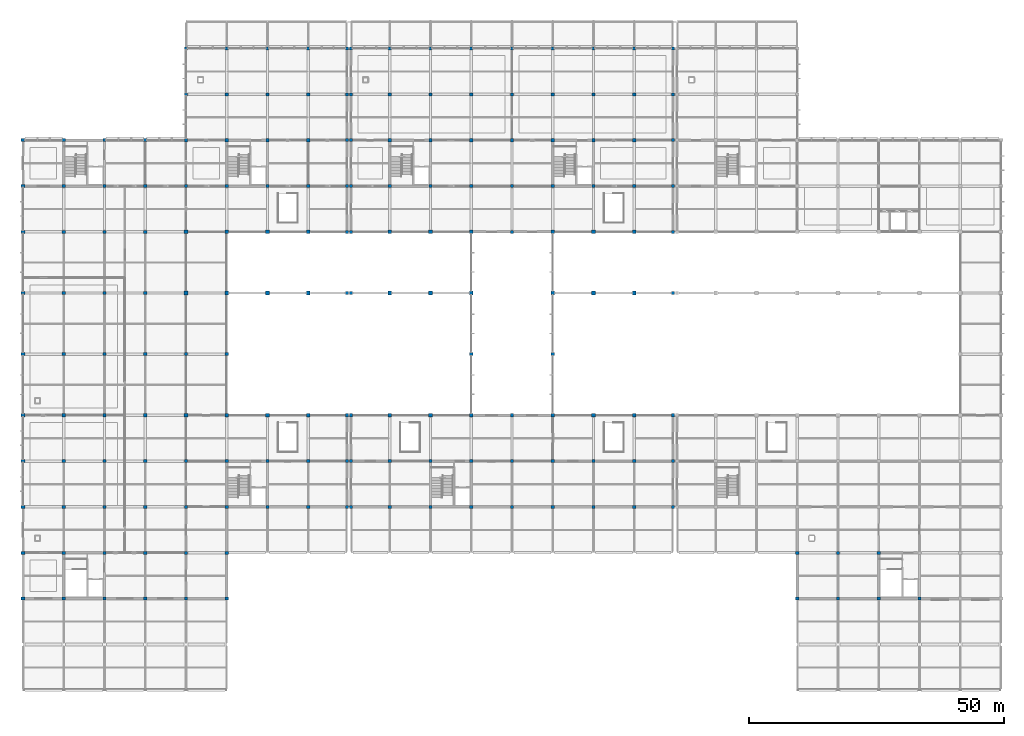
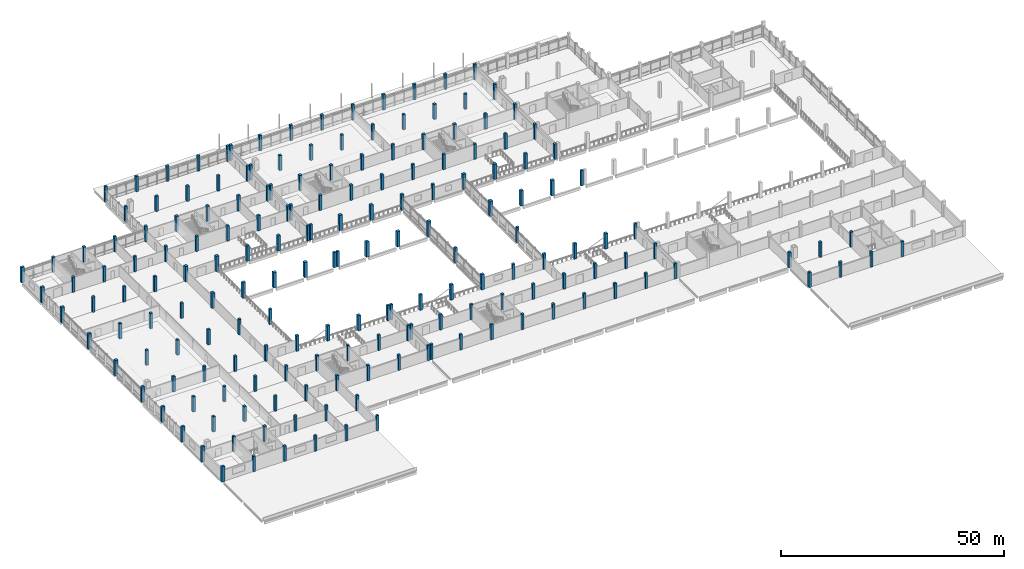
# One storey, part 1 of 57: 180 columns.
"""IFC4 building model written with IfcOpenShell, lengths in metres."""

import ifcopenshell
import ifcopenshell.guid

model = None  # the IFC model being written
_history = None  # IfcOwnerHistory: only IFC2X3 demands one
_inside = {}  # id of a spatial element -> (the spatial element, [elements in it])
_under = {}  # id of a project, library or spatial element -> (it, [spatial elements below it])
_declared = {}  # id of a project -> (the project, [libraries it declares])
_typed = {}  # id of a type object -> (the type object, [elements of that type])
_made_of = {}  # id of a material, layer set ... -> (it, [elements and type objects made of it])


def new_model(schema):
    """Start an empty IFC model of exactly this schema.

    Asked for "IFC4X3", IfcOpenShell would pick the latest addendum, in which some entities
    have other attributes; the version numbers below select the first issue.
    IFC2X3 requires an IfcOwnerHistory on every rooted entity: one is made here for all.
    """
    global model, _history
    if schema == "IFC4X3":
        model = ifcopenshell.file(schema_version=(4, 3, 0, 0))
    else:
        model = ifcopenshell.file(schema=schema)
    _inside.clear()
    _under.clear()
    _declared.clear()
    _typed.clear()
    _made_of.clear()
    _history = None
    if model.schema == "IFC2X3":
        org = make("IfcOrganization", Name="unknown")
        user = make(
            "IfcPersonAndOrganization",
            ThePerson=make("IfcPerson", FamilyName="unknown"),
            TheOrganization=org,
        )
        app = make(
            "IfcApplication",
            ApplicationDeveloper=org,
            Version="unknown",
            ApplicationFullName="unknown",
            ApplicationIdentifier="unknown",
        )
        _history = make(
            "IfcOwnerHistory",
            OwningUser=user,
            OwningApplication=app,
            ChangeAction="ADDED",
            CreationDate=0,
        )
    return model


def make(cls, **values):
    """One entity of the class cls with the attributes given. An attribute that is None is left unset."""
    return model.create_entity(
        cls, **{name: value for name, value in values.items() if value is not None}
    )


def rooted(cls, **values):
    """An entity with a GlobalId (a new one), such as an element, a storey or a relation."""
    return make(cls, GlobalId=ifcopenshell.guid.new(), OwnerHistory=_history, **values)


def si_unit(unit_type, name, prefix=None):
    """IfcSIUnit, for example si_unit("LENGTHUNIT", "METRE", prefix="MILLI")."""
    return make("IfcSIUnit", UnitType=unit_type, Prefix=prefix, Name=name)


def assignment(units):
    """IfcUnitAssignment: the units of a project."""
    return None if units is None else make("IfcUnitAssignment", Units=units)


def point(xyz):
    """IfcCartesianPoint."""
    return None if xyz is None else make("IfcCartesianPoint", Coordinates=xyz)


def direction(xyz):
    """IfcDirection."""
    return None if xyz is None else make("IfcDirection", DirectionRatios=xyz)


def frame(location, z_axis=None, x_axis=None):
    """IfcAxis2Placement3D, a coordinate frame: its origin and axes. An axis left out is left unset."""
    return make(
        "IfcAxis2Placement3D",
        Location=point(location),
        Axis=direction(z_axis),
        RefDirection=direction(x_axis),
    )


def frame_2d(location, x_axis=None):
    """IfcAxis2Placement2D, a coordinate frame in the plane: its origin and x axis."""
    return make(
        "IfcAxis2Placement2D", Location=point(location), RefDirection=direction(x_axis)
    )


def origin():
    """The frame at (0, 0, 0) with its axes left unset."""
    return frame((0.0, 0.0, 0.0))


def origin_2d():
    """The frame at (0, 0) in the plane with its x axis left unset."""
    return frame_2d((0.0, 0.0))


def place(relative_to, where):
    """IfcLocalPlacement: puts the frame where relative to a parent placement (None: the world)."""
    return make(
        "IfcLocalPlacement", PlacementRelTo=relative_to, RelativePlacement=where
    )


def context(
    kind, dimensions, precision=None, world=None, true_north=None, identifier=None
):
    """IfcGeometricRepresentationContext, for example the 3D "Model" context."""
    return make(
        "IfcGeometricRepresentationContext",
        ContextIdentifier=identifier,
        ContextType=kind,
        CoordinateSpaceDimension=dimensions,
        Precision=precision,
        WorldCoordinateSystem=world,
        TrueNorth=true_north,
    )


def subcontext(parent, identifier, kind, view, scale=None):
    """IfcGeometricRepresentationSubContext, for example "Body" below "Model"."""
    return make(
        "IfcGeometricRepresentationSubContext",
        ContextIdentifier=identifier,
        ContextType=kind,
        ParentContext=parent,
        TargetScale=scale,
        TargetView=view,
    )


def project(units=None, contexts=None):
    """IfcProject with its units and contexts."""
    return rooted(
        "IfcProject",
        Name="project",
        RepresentationContexts=contexts,
        UnitsInContext=assignment(units),
    )


def spatial(cls, under=None, at=None, **own):
    """A site, building, storey or space (cls), placed at a placement, below another one or the project."""
    s = rooted(cls, ObjectPlacement=at, **own)
    if under is not None:
        _under.setdefault(under.id(), (under, []))[1].append(s)
    return s


def profile(cls, at=None, kind="AREA", **sizes):
    """A parametric profile (cls). Its sizes go by their IFC names, for example OverallWidth=200.0."""
    return make(cls, ProfileType=kind, Position=at, **sizes)


def rectangle(**sizes):
    """IfcRectangleProfileDef."""
    return profile("IfcRectangleProfileDef", **sizes)


def extrude(swept, where, along, depth):
    """IfcExtrudedAreaSolid: the profile swept, set in the frame where, extruded along a direction by depth."""
    return make(
        "IfcExtrudedAreaSolid",
        SweptArea=swept,
        Position=where,
        ExtrudedDirection=direction(along),
        Depth=depth,
    )


def shape(context_of_items, identifier, shape_type, items):
    """IfcShapeRepresentation: the items that make up one representation, for example the "Body"."""
    return make(
        "IfcShapeRepresentation",
        ContextOfItems=context_of_items,
        RepresentationIdentifier=identifier,
        RepresentationType=shape_type,
        Items=items,
    )


def material(Name=None, Category=None):
    """IfcMaterial."""
    return make("IfcMaterial", Name=Name, Category=Category)


def material_profile(
    of_material, cross_section, Name=None, Category=None, Priority=None
):
    """IfcMaterialProfile: a cross section and its material."""
    return make(
        "IfcMaterialProfile",
        Name=Name,
        Material=of_material,
        Profile=cross_section,
        Priority=Priority,
        Category=Category,
    )


def profile_set(profiles, Name=None, composite=None):
    """IfcMaterialProfileSet."""
    return make(
        "IfcMaterialProfileSet",
        Name=Name,
        MaterialProfiles=profiles,
        CompositeProfile=composite,
    )


def made_of(thing, what):
    """Note that an element or type object is made of a material, layer set ...; save() writes the relation."""
    if what is not None:
        _made_of.setdefault(what.id(), (what, []))[1].append(thing)
    return thing


def type_object(cls, material=None, **own):
    """A type object (cls), such as IfcWallType, which elements share."""
    return made_of(rooted(cls, **own), material)


def element(
    cls,
    number,
    at=None,
    inside=None,
    cuts=None,
    type_object=None,
    material=None,
    context=None,
    identifier="Body",
    shape_type=None,
    held_by="IfcProductDefinitionShape",
    body=None,
    shapes=None,
    **own,
):
    """One element of the class cls, such as IfcWall. Its Tag is "e" and its number.

    at: its placement. inside: the storey or other place that contains it. cuts: it is an
    opening in that element (IfcRelVoidsElement). A single representation is given by context,
    identifier, shape_type and body (its items); several are given by shapes. held_by: the class
    of the entity that holds the representations. save() writes the other relations.
    """
    e = rooted(cls, Tag="e%d" % number, ObjectPlacement=at, **own)
    if body is not None:
        shapes = [shape(context, identifier, shape_type, body)]
    if shapes is not None:
        e.Representation = make(held_by, Representations=shapes)
    if inside is not None:
        _inside.setdefault(inside.id(), (inside, []))[1].append(e)
    if cuts is not None:
        rooted(
            "IfcRelVoidsElement", RelatingBuildingElement=cuts, RelatedOpeningElement=e
        )
    if type_object is not None:
        _typed.setdefault(type_object.id(), (type_object, []))[1].append(e)
    return made_of(e, material)


def aggregate(whole, parts):
    """IfcRelAggregates: a whole, such as a stair, and the parts it consists of."""
    return rooted("IfcRelAggregates", RelatingObject=whole, RelatedObjects=parts)


def save(model, path):
    """Write the relations noted so far, then the file.

    IfcRelAggregates (storeys below a building ...), IfcRelContainedInSpatialStructure (elements
    in a storey), IfcRelDefinesByType, IfcRelAssociatesMaterial and IfcRelDeclares: one each for
    every whole, place, type object, material and project.
    """
    for whole, parts in _under.values():
        aggregate(whole, parts)
    for where, things in _inside.values():
        rooted(
            "IfcRelContainedInSpatialStructure",
            RelatedElements=things,
            RelatingStructure=where,
        )
    for kind, things in _typed.values():
        rooted("IfcRelDefinesByType", RelatedObjects=things, RelatingType=kind)
    for what, things in _made_of.values():
        rooted("IfcRelAssociatesMaterial", RelatedObjects=things, RelatingMaterial=what)
    for by, libraries in _declared.values():
        rooted("IfcRelDeclares", RelatingContext=by, RelatedDefinitions=libraries)
    model.write(path)


model = new_model("IFC4")

# Units and contexts
model_context = context("Model", 3, precision=1e-05, world=origin(), true_north=direction((0.0, 1.0)))
body_context = subcontext(model_context, "Body", "Model", "MODEL_VIEW")
ifc_project = project(units=[si_unit("LENGTHUNIT", "METRE"), si_unit("AREAUNIT", "SQUARE_METRE"), si_unit("VOLUMEUNIT", "CUBIC_METRE"), si_unit("PLANEANGLEUNIT", "RADIAN"), si_unit("MASSUNIT", "GRAM", prefix="KILO"), si_unit("THERMODYNAMICTEMPERATUREUNIT", "KELVIN"), si_unit("POWERUNIT", "WATT")], contexts=[model_context])

# Site, building, storey
site_placement = place(None, origin())
site = spatial("IfcSite", under=ifc_project, at=site_placement, CompositionType="ELEMENT")
building_placement = place(site_placement, origin())
building = spatial("IfcBuilding", under=site, at=building_placement, Name="Kronsvod Quay Wholesale Market", CompositionType="ELEMENT")
storey_placement = place(building_placement, frame((0.0, 0.0, 4.800048828125)))
storey = spatial("IfcBuildingStorey", under=building, at=storey_placement, Name="L01", CompositionType="ELEMENT", Elevation=4.800048828125)

# Columns
ifc_material_1 = material(Name="Precast concrete C40/50", Category="concrete")
ifc_material_profile_1 = material_profile(ifc_material_1, rectangle(XDim=0.60009765625, YDim=0.60009765625, at=origin_2d()), Name="PCC600x600")
ifc_profile_set_1 = profile_set([ifc_material_profile_1], Name="Precast concrete C40/50")
column_type_1 = type_object("IfcColumnType", Name="Col_PCC600x600", PredefinedType="COLUMN", material=ifc_profile_set_1)
for number, where, z_axis, x_axis, name in (
    (1, (8.0, 18.0, 0.0), (0.0, 0.0, 1.0), (1.0, 0.0, 0.0), "COLG-L01-80-180"),
    (2, (8.0, 27.0, 0.0), (0.0, 0.0, 1.0), (1.0, 0.0, 0.0), "COLG-L01-80-270"),
    (3, (8.0, 36.0, 0.0), (0.0, 0.0, 1.0), (1.0, 0.0, 0.0), "COLG-L01-80-360"),
    (4, (8.0, 45.0, 0.0), (0.0, 0.0, 1.0), (1.0, 0.0, 0.0), "COLG-L01-80-450"),
    (5, (8.0, 54.0, 0.0), (0.0, 0.0, 1.0), (1.0, 0.0, 0.0), "COLG-L01-80-540"),
    (6, (8.0, 66.0, 0.0), (0.0, 0.0, 1.0), (1.0, 0.0, 0.0), "COLG-L01-80-660"),
    (7, (8.0, 78.0, 0.0), (0.0, 0.0, 1.0), (1.0, 0.0, 0.0), "COLG-L01-80-780"),
    (8, (8.0, 90.0, 0.0), (0.0, 0.0, 1.0), (1.0, 0.0, 0.0), "COLG-L01-80-900"),
    (9, (8.0, 99.0, 0.0), (0.0, 0.0, 1.0), (1.0, 0.0, 0.0), "COLG-L01-80-990"),
    (10, (8.0, 108.0, 0.0), (0.0, 0.0, 1.0), (1.0, 0.0, 0.0), "COLG-L01-80-1080"),
    (11, (16.0, 18.0, 0.0), (0.0, 0.0, 1.0), (1.0, 0.0, 0.0), "COLG-L01-160-180"),
    (12, (16.0, 27.0, 0.0), (0.0, 0.0, 1.0), (1.0, 0.0, 0.0), "COLG-L01-160-270"),
    (13, (16.0, 36.0, 0.0), (0.0, 0.0, 1.0), (1.0, 0.0, 0.0), "COLG-L01-160-360"),
    (14, (16.0, 45.0, 0.0), (0.0, 0.0, 1.0), (1.0, 0.0, 0.0), "COLG-L01-160-450"),
    (15, (16.0, 54.0, 0.0), (0.0, 0.0, 1.0), (1.0, 0.0, 0.0), "COLG-L01-160-540"),
    (16, (16.0, 66.0, 0.0), (0.0, 0.0, 1.0), (1.0, 0.0, 0.0), "COLG-L01-160-660"),
    (17, (16.0, 78.0, 0.0), (0.0, 0.0, 1.0), (1.0, 0.0, 0.0), "COLG-L01-160-780"),
    (18, (16.0, 90.0, 0.0), (0.0, 0.0, 1.0), (1.0, 0.0, 0.0), "COLG-L01-160-900"),
    (19, (16.0, 99.0, 0.0), (0.0, 0.0, 1.0), (1.0, 0.0, 0.0), "COLG-L01-160-990"),
    (20, (16.0, 108.0, 0.0), (0.0, 0.0, 1.0), (1.0, 0.0, 0.0), "COLG-L01-160-1080"),
    (21, (24.0, 18.0, 0.0), (0.0, 0.0, 1.0), (1.0, 0.0, 0.0), "COLG-L01-240-180"),
    (22, (24.0, 27.0, 0.0), (0.0, 0.0, 1.0), (1.0, 0.0, 0.0), "COLG-L01-240-270"),
    (23, (24.0, 36.0, 0.0), (0.0, 0.0, 1.0), (1.0, 0.0, 0.0), "COLG-L01-240-360"),
    (24, (24.0, 45.0, 0.0), (0.0, 0.0, 1.0), (1.0, 0.0, 0.0), "COLG-L01-240-450"),
    (25, (24.0, 54.0, 0.0), (0.0, 0.0, 1.0), (1.0, 0.0, 0.0), "COLG-L01-240-540"),
    (26, (24.0, 66.0, 0.0), (0.0, 0.0, 1.0), (1.0, 0.0, 0.0), "COLG-L01-240-660"),
    (27, (24.0, 78.0, 0.0), (0.0, 0.0, 1.0), (1.0, 0.0, 0.0), "COLG-L01-240-780"),
    (28, (24.0, 90.0, 0.0), (0.0, 0.0, 1.0), (1.0, 0.0, 0.0), "COLG-L01-240-900"),
    (29, (24.0, 99.0, 0.0), (0.0, 0.0, 1.0), (1.0, 0.0, 0.0), "COLG-L01-240-990"),
    (30, (24.0, 108.0, 0.0), (0.0, 0.0, 1.0), (1.0, 0.0, 0.0), "COLG-L01-240-1080"),
    (31, (32.0, 18.0, 0.0), (0.0, 0.0, 1.0), (1.0, 0.0, 0.0), "COLG-L01-320-180"),
    (32, (32.0, 27.0, 0.0), (0.0, 0.0, 1.0), (1.0, 0.0, 0.0), "COLG-L01-320-270"),
    (33, (32.0, 36.0, 0.0), (0.0, 0.0, 1.0), (1.0, 0.0, 0.0), "COLG-L01-320-360"),
    (34, (32.0, 45.0, 0.0), (0.0, 0.0, 1.0), (1.0, 0.0, 0.0), "COLG-L01-320-450"),
    (35, (32.0, 66.0, 0.0), (0.0, 0.0, 1.0), (1.0, 0.0, 0.0), "COLG-L01-320-660"),
    (36, (32.0, 99.0, 0.0), (0.0, 0.0, 1.0), (1.0, 0.0, 0.0), "COLG-L01-320-990"),
    (37, (32.0, 117.0, 0.0), (0.0, 0.0, 1.0), (1.0, 0.0, 0.0), "COLG-L01-320-1170"),
    (38, (32.0, 126.0, 0.0), (0.0, 0.0, 1.0), (1.0, 0.0, 0.0), "COLG-L01-320-1260"),
    (39, (40.0, 18.0, 0.0), (0.0, 0.0, 1.0), (1.0, 0.0, 0.0), "COLG-L01-400-180"),
    (40, (40.0, 27.0, 0.0), (0.0, 0.0, 1.0), (1.0, 0.0, 0.0), "COLG-L01-400-270"),
    (41, (40.0, 36.0, 0.0), (0.0, 0.0, 1.0), (1.0, 0.0, 0.0), "COLG-L01-400-360"),
    (42, (40.0, 45.0, 0.0), (0.0, 0.0, 1.0), (1.0, 0.0, 0.0), "COLG-L01-400-450"),
    (43, (40.0, 66.0, 0.0), (0.0, 0.0, 1.0), (1.0, 0.0, 0.0), "COLG-L01-400-660"),
    (44, (40.0, 99.0, 0.0), (0.0, 0.0, 1.0), (1.0, 0.0, 0.0), "COLG-L01-400-990"),
    (45, (40.0, 117.0, 0.0), (0.0, 0.0, 1.0), (1.0, 0.0, 0.0), "COLG-L01-400-1170"),
    (46, (40.0, 126.0, 0.0), (0.0, 0.0, 1.0), (1.0, 0.0, 0.0), "COLG-L01-400-1260"),
    (47, (48.0, 36.0, 0.0), (0.0, 0.0, 1.0), (1.0, 0.0, 0.0), "COLG-L01-480-360"),
    (48, (48.0, 45.0, 0.0), (0.0, 0.0, 1.0), (1.0, 0.0, 0.0), "COLG-L01-480-450"),
    (49, (48.0, 99.0, 0.0), (0.0, 0.0, 1.0), (1.0, 0.0, 0.0), "COLG-L01-480-990"),
    (50, (48.0, 117.0, 0.0), (0.0, 0.0, 1.0), (1.0, 0.0, 0.0), "COLG-L01-480-1170"),
    (51, (48.0, 126.0, 0.0), (0.0, 0.0, 1.0), (1.0, 0.0, 0.0), "COLG-L01-480-1260"),
    (52, (56.0, 36.0, 0.0), (0.0, 0.0, 1.0), (1.0, 0.0, 0.0), "COLG-L01-560-360"),
    (53, (56.0, 45.0, 0.0), (0.0, 0.0, 1.0), (1.0, 0.0, 0.0), "COLG-L01-560-450"),
    (54, (56.0, 99.0, 0.0), (0.0, 0.0, 1.0), (1.0, 0.0, 0.0), "COLG-L01-560-990"),
    (55, (56.0, 117.0, 0.0), (0.0, 0.0, 1.0), (1.0, 0.0, 0.0), "COLG-L01-560-1170"),
    (56, (56.0, 126.0, 0.0), (0.0, 0.0, 1.0), (1.0, 0.0, 0.0), "COLG-L01-560-1260"),
    (57, (63.60009765625, 36.0, 0.0), (0.0, 0.0, 1.0), (1.0, 0.0, 0.0), "COLG-L01-636-360"),
    (58, (63.60009765625, 45.0, 0.0), (0.0, 0.0, 1.0), (1.0, 0.0, 0.0), "COLG-L01-636-450"),
    (59, (63.60009765625, 54.0, 0.0), (0.0, 0.0, 1.0), (1.0, 0.0, 0.0), "COLG-L01-636-540"),
    (60, (63.60009765625, 78.0, 0.0), (0.0, 0.0, 1.0), (1.0, 0.0, 0.0), "COLG-L01-636-780"),
    (61, (63.60009765625, 90.0, 0.0), (0.0, 0.0, 1.0), (1.0, 0.0, 0.0), "COLG-L01-636-900"),
    (62, (63.60009765625, 99.0, 0.0), (0.0, 0.0, 1.0), (1.0, 0.0, 0.0), "COLG-L01-636-990"),
    (63, (63.60009765625, 108.0, 0.0), (0.0, 0.0, 1.0), (1.0, 0.0, 0.0), "COLG-L01-636-1080"),
    (64, (63.60009765625, 117.0, 0.0), (0.0, 0.0, 1.0), (1.0, 0.0, 0.0), "COLG-L01-636-1170"),
    (65, (63.60009765625, 126.0, 0.0), (0.0, 0.0, 1.0), (1.0, 0.0, 0.0), "COLG-L01-636-1260"),
    (66, (64.39990234375, 36.0, 0.0), (0.0, 0.0, 1.0), (1.0, 0.0, 0.0), "COLG-L01-644-360"),
    (67, (64.39990234375, 45.0, 0.0), (0.0, 0.0, 1.0), (1.0, 0.0, 0.0), "COLG-L01-644-450"),
    (68, (64.39990234375, 54.0, 0.0), (0.0, 0.0, 1.0), (1.0, 0.0, 0.0), "COLG-L01-644-540"),
    (69, (64.39990234375, 78.0, 0.0), (0.0, 0.0, 1.0), (1.0, 0.0, 0.0), "COLG-L01-644-780"),
    (70, (64.39990234375, 90.0, 0.0), (0.0, 0.0, 1.0), (1.0, 0.0, 0.0), "COLG-L01-644-900"),
    (71, (64.39990234375, 99.0, 0.0), (0.0, 0.0, 1.0), (1.0, 0.0, 0.0), "COLG-L01-644-990"),
    (72, (64.39990234375, 108.0, 0.0), (0.0, 0.0, 1.0), (1.0, 0.0, 0.0), "COLG-L01-644-1080"),
    (73, (64.39990234375, 117.0, 0.0), (0.0, 0.0, 1.0), (1.0, 0.0, 0.0), "COLG-L01-644-1170"),
    (74, (64.39990234375, 126.0, 0.0), (0.0, 0.0, 1.0), (1.0, 0.0, 0.0), "COLG-L01-644-1260"),
    (75, (72.0, 36.0, 0.0), (0.0, 0.0, 1.0), (1.0, 0.0, 0.0), "COLG-L01-720-360"),
    (76, (72.0, 45.0, 0.0), (0.0, 0.0, 1.0), (1.0, 0.0, 0.0), "COLG-L01-720-450"),
    (77, (72.0, 99.0, 0.0), (0.0, 0.0, 1.0), (1.0, 0.0, 0.0), "COLG-L01-720-990"),
    (78, (72.0, 117.0, 0.0), (0.0, 0.0, 1.0), (1.0, 0.0, 0.0), "COLG-L01-720-1170"),
    (79, (72.0, 126.0, 0.0), (0.0, 0.0, 1.0), (1.0, 0.0, 0.0), "COLG-L01-720-1260"),
    (80, (80.0, 36.0, 0.0), (0.0, 0.0, 1.0), (1.0, 0.0, 0.0), "COLG-L01-800-360"),
    (81, (80.0, 45.0, 0.0), (0.0, 0.0, 1.0), (1.0, 0.0, 0.0), "COLG-L01-800-450"),
    (82, (80.0, 99.0, 0.0), (0.0, 0.0, 1.0), (1.0, 0.0, 0.0), "COLG-L01-800-990"),
    (83, (80.0, 117.0, 0.0), (0.0, 0.0, 1.0), (1.0, 0.0, 0.0), "COLG-L01-800-1170"),
    (84, (80.0, 126.0, 0.0), (0.0, 0.0, 1.0), (1.0, 0.0, 0.0), "COLG-L01-800-1260"),
    (85, (88.0, 36.0, 0.0), (0.0, 0.0, 1.0), (1.0, 0.0, 0.0), "COLG-L01-880-360"),
    (86, (88.0, 45.0, 0.0), (0.0, 0.0, 1.0), (1.0, 0.0, 0.0), "COLG-L01-880-450"),
    (87, (88.0, 66.0, 0.0), (0.0, 0.0, 1.0), (1.0, 0.0, 0.0), "COLG-L01-880-660"),
    (88, (88.0, 99.0, 0.0), (0.0, 0.0, 1.0), (1.0, 0.0, 0.0), "COLG-L01-880-990"),
    (89, (88.0, 117.0, 0.0), (0.0, 0.0, 1.0), (1.0, 0.0, 0.0), "COLG-L01-880-1170"),
    (90, (88.0, 126.0, 0.0), (0.0, 0.0, 1.0), (1.0, 0.0, 0.0), "COLG-L01-880-1260"),
    (91, (96.0, 36.0, 0.0), (0.0, 0.0, 1.0), (1.0, 0.0, 0.0), "COLG-L01-960-360"),
    (92, (96.0, 45.0, 0.0), (0.0, 0.0, 1.0), (1.0, 0.0, 0.0), "COLG-L01-960-450"),
    (93, (96.0, 54.0, 0.0), (0.0, 0.0, 1.0), (1.0, 0.0, 0.0), "COLG-L01-960-540"),
    (94, (96.0, 90.0, 0.0), (0.0, 0.0, 1.0), (1.0, 0.0, 0.0), "COLG-L01-960-900"),
    (95, (96.0, 99.0, 0.0), (0.0, 0.0, 1.0), (1.0, 0.0, 0.0), "COLG-L01-960-990"),
    (96, (96.0, 117.0, 0.0), (0.0, 0.0, 1.0), (1.0, 0.0, 0.0), "COLG-L01-960-1170"),
    (97, (96.0, 126.0, 0.0), (0.0, 0.0, 1.0), (1.0, 0.0, 0.0), "COLG-L01-960-1260"),
    (98, (104.0, 36.0, 0.0), (0.0, 0.0, 1.0), (1.0, 0.0, 0.0), "COLG-L01-1040-360"),
    (99, (104.0, 45.0, 0.0), (0.0, 0.0, 1.0), (1.0, 0.0, 0.0), "COLG-L01-1040-450"),
    (100, (104.0, 66.0, 0.0), (0.0, 0.0, 1.0), (1.0, 0.0, 0.0), "COLG-L01-1040-660"),
    (101, (104.0, 99.0, 0.0), (0.0, 0.0, 1.0), (1.0, 0.0, 0.0), "COLG-L01-1040-990"),
    (102, (104.0, 117.0, 0.0), (0.0, 0.0, 1.0), (1.0, 0.0, 0.0), "COLG-L01-1040-1170"),
    (103, (104.0, 126.0, 0.0), (0.0, 0.0, 1.0), (1.0, 0.0, 0.0), "COLG-L01-1040-1260"),
    (104, (112.0, 36.0, 0.0), (0.0, 0.0, 1.0), (1.0, 0.0, 0.0), "COLG-L01-1120-360"),
    (105, (112.0, 45.0, 0.0), (0.0, 0.0, 1.0), (1.0, 0.0, 0.0), "COLG-L01-1120-450"),
    (106, (112.0, 99.0, 0.0), (0.0, 0.0, 1.0), (1.0, 0.0, 0.0), "COLG-L01-1120-990"),
    (107, (112.0, 117.0, 0.0), (0.0, 0.0, 1.0), (1.0, 0.0, 0.0), "COLG-L01-1120-1170"),
    (108, (112.0, 126.0, 0.0), (0.0, 0.0, 1.0), (1.0, 0.0, 0.0), "COLG-L01-1120-1260"),
    (109, (120.0, 36.0, 0.0), (0.0, 0.0, 1.0), (1.0, 0.0, 0.0), "COLG-L01-1200-360"),
    (110, (120.0, 45.0, 0.0), (0.0, 0.0, 1.0), (1.0, 0.0, 0.0), "COLG-L01-1200-450"),
    (111, (120.0, 99.0, 0.0), (0.0, 0.0, 1.0), (1.0, 0.0, 0.0), "COLG-L01-1200-990"),
    (112, (120.0, 117.0, 0.0), (0.0, 0.0, 1.0), (1.0, 0.0, 0.0), "COLG-L01-1200-1170"),
    (113, (120.0, 126.0, 0.0), (0.0, 0.0, 1.0), (1.0, 0.0, 0.0), "COLG-L01-1200-1260"),
    (114, (127.60009765625, 36.0, 0.0), (0.0, 0.0, 1.0), (1.0, 0.0, 0.0), "COLG-L01-1276-360"),
    (115, (127.60009765625, 45.0, 0.0), (0.0, 0.0, 1.0), (1.0, 0.0, 0.0), "COLG-L01-1276-450"),
    (116, (127.60009765625, 54.0, 0.0), (0.0, 0.0, 1.0), (1.0, 0.0, 0.0), "COLG-L01-1276-540"),
    (117, (127.60009765625, 78.0, 0.0), (0.0, 0.0, 1.0), (1.0, 0.0, 0.0), "COLG-L01-1276-780"),
    (118, (127.60009765625, 90.0, 0.0), (0.0, 0.0, 1.0), (1.0, 0.0, 0.0), "COLG-L01-1276-900"),
    (119, (127.60009765625, 99.0, 0.0), (0.0, 0.0, 1.0), (1.0, 0.0, 0.0), "COLG-L01-1276-990"),
    (120, (127.60009765625, 108.0, 0.0), (0.0, 0.0, 1.0), (1.0, 0.0, 0.0), "COLG-L01-1276-1080"),
    (121, (127.60009765625, 117.0, 0.0), (0.0, 0.0, 1.0), (1.0, 0.0, 0.0), "COLG-L01-1276-1170"),
    (122, (127.60009765625, 126.0, 0.0), (0.0, 0.0, 1.0), (1.0, 0.0, 0.0), "COLG-L01-1276-1260"),
    (123, (152.0, 18.0, 0.0), (0.0, 0.0, 1.0), (1.0, 0.0, 0.0), "COLG-L01-1520-180"),
    (124, (152.0, 27.0, 0.0), (0.0, 0.0, 1.0), (1.0, 0.0, 0.0), "COLG-L01-1520-270"),
    (125, (160.0, 18.0, 0.0), (0.0, 0.0, 1.0), (1.0, 0.0, 0.0), "COLG-L01-1600-180"),
    (126, (160.0, 27.0, 0.0), (0.0, 0.0, 1.0), (1.0, 0.0, 0.0), "COLG-L01-1600-270"),
    (127, (168.0, 18.0, 0.0), (0.0, 0.0, 1.0), (1.0, 0.0, 0.0), "COLG-L01-1680-180"),
    (128, (168.0, 27.0, 0.0), (0.0, 0.0, 1.0), (1.0, 0.0, 0.0), "COLG-L01-1680-270"),
    (129, (176.0, 18.0, 0.0), (0.0, 0.0, 1.0), (1.0, 0.0, 0.0), "COLG-L01-1760-180"),
):
    element("IfcColumn", number, at=place(storey_placement, frame(where, z_axis=z_axis, x_axis=x_axis)), inside=storey, type_object=column_type_1, Name=name, PredefinedType="COLUMN", context=body_context, shape_type="SweptSolid", body=[
        extrude(rectangle(XDim=0.60009765625, YDim=0.60009765625, at=origin_2d()), origin(), (0.0, 0.0, 1.0), 4.199951171875),
    ])
ifc_material_2 = material(Name="Precast concrete C40/50", Category="concrete")
ifc_material_profile_2 = material_profile(ifc_material_2, rectangle(XDim=0.64990234375, YDim=0.64990234375, at=origin_2d()), Name="COL-08")
ifc_profile_set_2 = profile_set([ifc_material_profile_2], Name="Precast concrete C40/50")
column_type_2 = type_object("IfcColumnType", Name="Col_PCC650x650", PredefinedType="COLUMN", material=ifc_profile_set_2)
for number, where, z_axis, x_axis, name in (
    (130, (32.0, 108.0, 0.0), (0.0, 0.0, 1.0), (1.0, 0.0, 0.0), "COLG-L01-320-1080"),
    (131, (40.0, 108.0, 0.0), (0.0, 0.0, 1.0), (1.0, 0.0, 0.0), "COLG-L01-400-1080"),
    (132, (48.0, 108.0, 0.0), (0.0, 0.0, 1.0), (1.0, 0.0, 0.0), "COLG-L01-480-1080"),
    (133, (56.0, 108.0, 0.0), (0.0, 0.0, 1.0), (1.0, 0.0, 0.0), "COLG-L01-560-1080"),
    (134, (72.0, 108.0, 0.0), (0.0, 0.0, 1.0), (1.0, 0.0, 0.0), "COLG-L01-720-1080"),
    (135, (80.0, 108.0, 0.0), (0.0, 0.0, 1.0), (1.0, 0.0, 0.0), "COLG-L01-800-1080"),
    (136, (88.0, 108.0, 0.0), (0.0, 0.0, 1.0), (1.0, 0.0, 0.0), "COLG-L01-880-1080"),
    (137, (96.0, 108.0, 0.0), (0.0, 0.0, 1.0), (1.0, 0.0, 0.0), "COLG-L01-960-1080"),
    (138, (104.0, 108.0, 0.0), (0.0, 0.0, 1.0), (1.0, 0.0, 0.0), "COLG-L01-1040-1080"),
    (139, (112.0, 108.0, 0.0), (0.0, 0.0, 1.0), (1.0, 0.0, 0.0), "COLG-L01-1120-1080"),
    (140, (120.0, 108.0, 0.0), (0.0, 0.0, 1.0), (1.0, 0.0, 0.0), "COLG-L01-1200-1080"),
):
    element("IfcColumn", number, at=place(storey_placement, frame(where, z_axis=z_axis, x_axis=x_axis)), inside=storey, type_object=column_type_2, Name=name, PredefinedType="COLUMN", context=body_context, shape_type="SweptSolid", body=[
        extrude(rectangle(XDim=0.64990234375, YDim=0.64990234375, at=origin_2d()), origin(), (0.0, 0.0, 1.0), 4.199951171875),
    ])
ifc_material_3 = material(Name="Precast concrete C40/50", Category="concrete")
ifc_material_profile_3 = material_profile(ifc_material_3, rectangle(XDim=0.699951171875, YDim=0.699951171875, at=origin_2d()), Name="PCC700x700")
ifc_profile_set_3 = profile_set([ifc_material_profile_3], Name="Precast concrete C40/50")
column_type_3 = type_object("IfcColumnType", Name="Col_PCC700x700", PredefinedType="COLUMN", material=ifc_profile_set_3)
for number, where, z_axis, x_axis, name in (
    (141, (32.0, 54.0, 0.0), (0.0, 0.0, 1.0), (1.0, 0.0, 0.0), "COLG-L01-320-540"),
    (142, (32.0, 90.0, 0.0), (0.0, 0.0, 1.0), (1.0, 0.0, 0.0), "COLG-L01-320-900"),
    (143, (40.0, 54.0, 0.0), (0.0, 0.0, 1.0), (1.0, 0.0, 0.0), "COLG-L01-400-540"),
    (144, (40.0, 90.0, 0.0), (0.0, 0.0, 1.0), (1.0, 0.0, 0.0), "COLG-L01-400-900"),
    (145, (48.0, 54.0, 0.0), (0.0, 0.0, 1.0), (1.0, 0.0, 0.0), "COLG-L01-480-540"),
    (146, (48.0, 90.0, 0.0), (0.0, 0.0, 1.0), (1.0, 0.0, 0.0), "COLG-L01-480-900"),
    (147, (56.0, 54.0, 0.0), (0.0, 0.0, 1.0), (1.0, 0.0, 0.0), "COLG-L01-560-540"),
    (148, (56.0, 90.0, 0.0), (0.0, 0.0, 1.0), (1.0, 0.0, 0.0), "COLG-L01-560-900"),
    (149, (72.0, 54.0, 0.0), (0.0, 0.0, 1.0), (1.0, 0.0, 0.0), "COLG-L01-720-540"),
    (150, (72.0, 90.0, 0.0), (0.0, 0.0, 1.0), (1.0, 0.0, 0.0), "COLG-L01-720-900"),
    (151, (80.0, 54.0, 0.0), (0.0, 0.0, 1.0), (1.0, 0.0, 0.0), "COLG-L01-800-540"),
    (152, (80.0, 90.0, 0.0), (0.0, 0.0, 1.0), (1.0, 0.0, 0.0), "COLG-L01-800-900"),
    (153, (88.0, 54.0, 0.0), (0.0, 0.0, 1.0), (1.0, 0.0, 0.0), "COLG-L01-880-540"),
    (154, (88.0, 90.0, 0.0), (0.0, 0.0, 1.0), (1.0, 0.0, 0.0), "COLG-L01-880-900"),
    (155, (104.0, 54.0, 0.0), (0.0, 0.0, 1.0), (1.0, 0.0, 0.0), "COLG-L01-1040-540"),
    (156, (104.0, 90.0, 0.0), (0.0, 0.0, 1.0), (1.0, 0.0, 0.0), "COLG-L01-1040-900"),
    (157, (112.0, 54.0, 0.0), (0.0, 0.0, 1.0), (1.0, 0.0, 0.0), "COLG-L01-1120-540"),
    (158, (112.0, 90.0, 0.0), (0.0, 0.0, 1.0), (1.0, 0.0, 0.0), "COLG-L01-1120-900"),
    (159, (120.0, 54.0, 0.0), (0.0, 0.0, 1.0), (1.0, 0.0, 0.0), "COLG-L01-1200-540"),
    (160, (120.0, 90.0, 0.0), (0.0, 0.0, 1.0), (1.0, 0.0, 0.0), "COLG-L01-1200-900"),
):
    element("IfcColumn", number, at=place(storey_placement, frame(where, z_axis=z_axis, x_axis=x_axis)), inside=storey, type_object=column_type_3, Name=name, PredefinedType="COLUMN", context=body_context, shape_type="SweptSolid", body=[
        extrude(rectangle(XDim=0.699951171875, YDim=0.699951171875, at=origin_2d()), origin(), (0.0, 0.0, 1.0), 4.199951171875),
    ])
ifc_material_4 = material(Name="Precast concrete C40/50", Category="concrete")
ifc_material_profile_4 = material_profile(ifc_material_4, rectangle(XDim=0.75, YDim=0.75, at=origin_2d()), Name="COL-07")
ifc_profile_set_4 = profile_set([ifc_material_profile_4], Name="Precast concrete C40/50")
column_type_4 = type_object("IfcColumnType", Name="Col_PCC750x750", PredefinedType="COLUMN", material=ifc_profile_set_4)
for number, where, z_axis, x_axis, name in (
    (161, (32.0, 78.0, 0.0), (0.0, 0.0, 1.0), (1.0, 0.0, 0.0), "COLG-L01-320-780"),
    (162, (40.0, 78.0, 0.0), (0.0, 0.0, 1.0), (1.0, 0.0, 0.0), "COLG-L01-400-780"),
    (163, (48.0, 78.0, 0.0), (0.0, 0.0, 1.0), (1.0, 0.0, 0.0), "COLG-L01-480-780"),
    (164, (56.0, 78.0, 0.0), (0.0, 0.0, 1.0), (1.0, 0.0, 0.0), "COLG-L01-560-780"),
    (165, (72.0, 78.0, 0.0), (0.0, 0.0, 1.0), (1.0, 0.0, 0.0), "COLG-L01-720-780"),
    (166, (80.0, 78.0, 0.0), (0.0, 0.0, 1.0), (1.0, 0.0, 0.0), "COLG-L01-800-780"),
    (167, (88.0, 78.0, 0.0), (0.0, 0.0, 1.0), (1.0, 0.0, 0.0), "COLG-L01-880-780"),
    (168, (104.0, 78.0, 0.0), (0.0, 0.0, 1.0), (1.0, 0.0, 0.0), "COLG-L01-1040-780"),
    (169, (112.0, 78.0, 0.0), (0.0, 0.0, 1.0), (1.0, 0.0, 0.0), "COLG-L01-1120-780"),
    (170, (120.0, 78.0, 0.0), (0.0, 0.0, 1.0), (1.0, 0.0, 0.0), "COLG-L01-1200-780"),
):
    element("IfcColumn", number, at=place(storey_placement, frame(where, z_axis=z_axis, x_axis=x_axis)), inside=storey, type_object=column_type_4, Name=name, PredefinedType="COLUMN", context=body_context, shape_type="SweptSolid", body=[
        extrude(rectangle(XDim=0.75, YDim=0.75, at=origin_2d()), origin(), (0.0, 0.0, 1.0), 4.199951171875),
    ])
ifc_material_5 = material(Name="Precast concrete C40/50", Category="concrete")
ifc_material_profile_5 = material_profile(ifc_material_5, rectangle(XDim=0.800048828125, YDim=0.60009765625, at=origin_2d()), Name="PCC800x600")
ifc_profile_set_5 = profile_set([ifc_material_profile_5], Name="Precast concrete C40/50")
column_type_5 = type_object("IfcColumnType", Name="Col_PCC800x600", PredefinedType="COLUMN", material=ifc_profile_set_5)
for number, where, z_axis, x_axis, name in (
    (171, (0.0, 18.0, 0.0), (0.0, 0.0, 1.0), (1.0, 0.0, 0.0), "COLG-L01-0-180"),
    (172, (0.0, 27.0, 0.0), (0.0, 0.0, 1.0), (1.0, 0.0, 0.0), "COLG-L01-0-270"),
    (173, (0.0, 36.0, 0.0), (0.0, 0.0, 1.0), (1.0, 0.0, 0.0), "COLG-L01-0-360"),
    (174, (0.0, 45.0, 0.0), (0.0, 0.0, 1.0), (1.0, 0.0, 0.0), "COLG-L01-0-450"),
    (175, (0.0, 54.0, 0.0), (0.0, 0.0, 1.0), (1.0, 0.0, 0.0), "COLG-L01-0-540"),
    (176, (0.0, 66.0, 0.0), (0.0, 0.0, 1.0), (1.0, 0.0, 0.0), "COLG-L01-0-660"),
    (177, (0.0, 78.0, 0.0), (0.0, 0.0, 1.0), (1.0, 0.0, 0.0), "COLG-L01-0-780"),
    (178, (0.0, 90.0, 0.0), (0.0, 0.0, 1.0), (1.0, 0.0, 0.0), "COLG-L01-0-900"),
    (179, (0.0, 99.0, 0.0), (0.0, 0.0, 1.0), (1.0, 0.0, 0.0), "COLG-L01-0-990"),
    (180, (0.0, 108.0, 0.0), (0.0, 0.0, 1.0), (1.0, 0.0, 0.0), "COLG-L01-0-1080"),
):
    element("IfcColumn", number, at=place(storey_placement, frame(where, z_axis=z_axis, x_axis=x_axis)), inside=storey, type_object=column_type_5, Name=name, PredefinedType="COLUMN", context=body_context, shape_type="SweptSolid", body=[
        extrude(rectangle(XDim=0.800048828125, YDim=0.60009765625, at=origin_2d()), origin(), (0.0, 0.0, 1.0), 4.199951171875),
    ])

save(model, "model.ifc")
